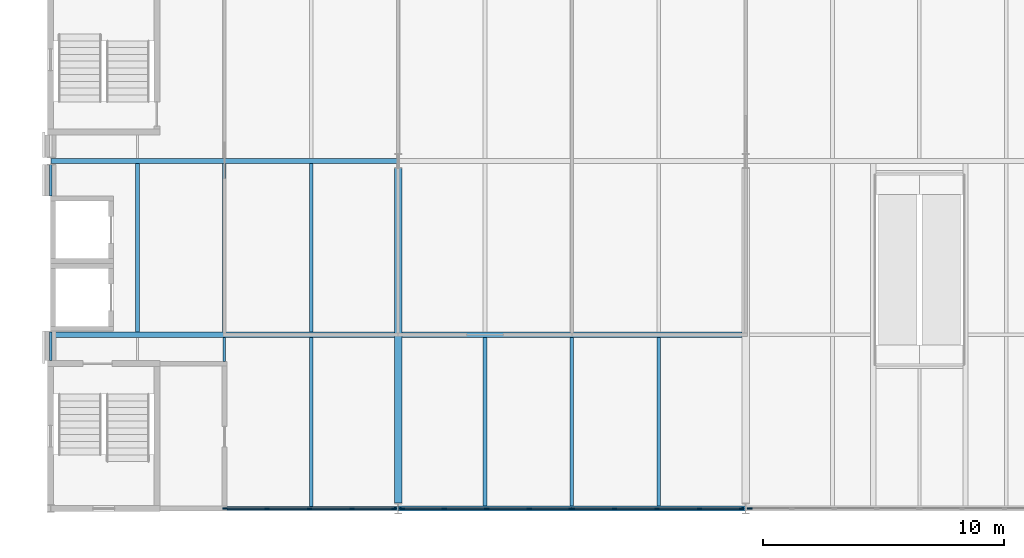
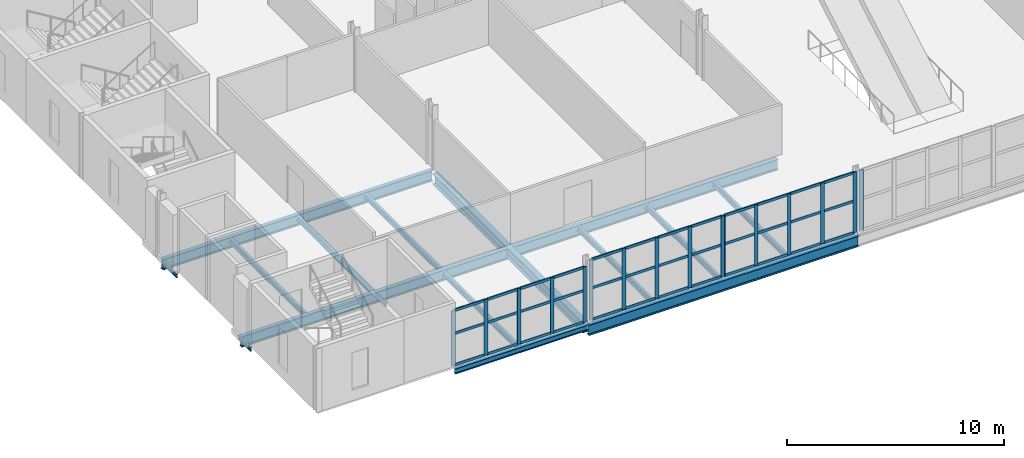
# One storey, part 27 of 124: 52 members, 16 beams, 4 elements without a shape of their own.
"""IFC4 building model written with IfcOpenShell, lengths in metres."""

from ifc_helpers import new_model, si_unit, direction, frame, origin, origin_2d, place, context, subcontext, project, spatial, rectangle, i_section, extrude, material, material_profile, profile_set, type_object, element, aggregate, save


model = new_model("IFC4")

# Units and contexts
model_context = context("Model", 3, precision=1e-05, world=origin(), true_north=direction((0.0, 1.0)))
body_context = subcontext(model_context, "Body", "Model", "MODEL_VIEW")
ifc_project = project(units=[si_unit("LENGTHUNIT", "METRE"), si_unit("AREAUNIT", "SQUARE_METRE"), si_unit("VOLUMEUNIT", "CUBIC_METRE"), si_unit("PLANEANGLEUNIT", "RADIAN"), si_unit("MASSUNIT", "GRAM", prefix="KILO")], contexts=[model_context])

# Site, building, storey
site_placement = place(None, origin())
site = spatial("IfcSite", under=ifc_project, at=site_placement, CompositionType="ELEMENT")
building_placement = place(site_placement, origin())
building = spatial("IfcBuilding", under=site, at=building_placement, Name="Kupolbacken Congress Centre", CompositionType="ELEMENT")
storey_placement = place(building_placement, frame((0.0, 0.0, 10.800048828125)))
storey = spatial("IfcBuildingStorey", under=building, at=storey_placement, Name="L03", CompositionType="ELEMENT", Elevation=10.800048828125)

# Beams
ifc_material_1 = material(Name="Steel S355", Category="steel")
ifc_material_profile_1 = material_profile(ifc_material_1, i_section(OverallWidth=0.10009765625, OverallDepth=0.199951171875, WebThickness=0.005615234375, FlangeThickness=0.008544921875, FilletRadius=0.011962890625, at=origin_2d()), Name="IPE 200")
ifc_profile_set_1 = profile_set([ifc_material_profile_1], Name="Steel S355")
beam_type_1 = type_object("IfcBeamType", Name="B01 beam IPE 200", PredefinedType="BEAM", material=ifc_profile_set_1)
beam_1_placement = place(storey_placement, frame((7.199951171875, 34.925048828125, -0.280029296875), z_axis=(0.0, 1.0, 0.0), x_axis=(-1.0, 0.0, 0.0)))
element("IfcBeam", 1, at=beam_1_placement, inside=storey, type_object=beam_type_1, Name="S/floor/F/L03/G001", PredefinedType="BEAM", context=body_context, shape_type="SweptSolid", body=[
    extrude(i_section(OverallWidth=0.10009765625, OverallDepth=0.199951171875, WebThickness=0.005615234375, FlangeThickness=0.008544921875, FilletRadius=0.011962890625, at=origin_2d()), origin(), (0.0, 0.0, 1.0), 1.184814453125),
])
beam_2_placement = place(storey_placement, frame((7.199951171875, 41.75, -0.280029296875), z_axis=(0.0, 1.0, 0.0), x_axis=(-1.0, 0.0, 0.0)))
element("IfcBeam", 2, at=beam_2_placement, inside=storey, type_object=beam_type_1, Name="S/floor/F/L03/G002", PredefinedType="BEAM", context=body_context, shape_type="SweptSolid", body=[
    extrude(i_section(OverallWidth=0.10009765625, OverallDepth=0.199951171875, WebThickness=0.005615234375, FlangeThickness=0.008544921875, FilletRadius=0.011962890625, at=origin_2d()), origin(), (0.0, 0.0, 1.0), 1.300048828125),
])
beam_3_placement = place(storey_placement, frame((14.39990234375, 34.89990234375, -0.280029296875), z_axis=(0.0, 1.0, 0.0), x_axis=(-1.0, 0.0, 0.0)))
element("IfcBeam", 3, at=beam_3_placement, inside=storey, type_object=beam_type_1, Name="S/floor/F/L03/S043", PredefinedType="BEAM", context=body_context, shape_type="SweptSolid", body=[
    extrude(i_section(OverallWidth=0.10009765625, OverallDepth=0.199951171875, WebThickness=0.005615234375, FlangeThickness=0.008544921875, FilletRadius=0.011962890625, at=origin_2d()), origin(), (0.0, 0.0, 1.0), 0.989990234375),
])
ifc_material_2 = material(Name="Steel S355", Category="steel")
ifc_material_profile_2 = material_profile(ifc_material_2, i_section(OverallWidth=0.14990234375, OverallDepth=0.300048828125, WebThickness=0.007080078125, FlangeThickness=0.0107421875, FilletRadius=0.014892578125, at=origin_2d()), Name="IPE 300")
ifc_profile_set_2 = profile_set([ifc_material_profile_2], Name="Steel S355")
beam_type_2 = type_object("IfcBeamType", Name="B04 beam IPE 300", PredefinedType="BEAM", material=ifc_profile_set_2)
beam_4_placement = place(storey_placement, frame((14.5, 28.800048828125, -0.330078125), z_axis=(1.0, 0.0, 0.0), x_axis=(0.0, 1.0, 0.0)))
element("IfcBeam", 4, at=beam_4_placement, inside=storey, type_object=beam_type_2, Name="S/floor/F/L03/R015", PredefinedType="BEAM", context=body_context, shape_type="SweptSolid", body=[
    extrude(i_section(OverallWidth=0.14990234375, OverallDepth=0.300048828125, WebThickness=0.007080078125, FlangeThickness=0.0107421875, FilletRadius=0.014892578125, at=origin_2d()), origin(), (0.0, 0.0, 1.0), 7.093017578125),
])
for number, where, z_axis, x_axis, name in (
    (5, (10.800048828125, 36.110107421875, -0.330078125), (0.0, 1.0, 0.0), (-1.0, 0.0, 0.0), "S/floor/F/L03/S041"),
    (6, (14.39990234375, 36.110107421875, -0.330078125), (0.0, 1.0, 0.0), (-1.0, 0.0, 0.0), "S/floor/F/L03/S044"),
):
    element("IfcBeam", number, at=place(storey_placement, frame(where, z_axis=z_axis, x_axis=x_axis)), inside=storey, type_object=beam_type_2, Name=name, PredefinedType="BEAM", context=body_context, shape_type="SweptSolid", body=[
        extrude(i_section(OverallWidth=0.14990234375, OverallDepth=0.300048828125, WebThickness=0.007080078125, FlangeThickness=0.0107421875, FilletRadius=0.014892578125, at=origin_2d()), origin(), (0.0, 0.0, 1.0), 6.97998046875),
    ])
beam_5_placement = place(storey_placement, frame((18.0, 28.875, -0.330078125), z_axis=(0.0, 1.0, 0.0), x_axis=(-1.0, 0.0, 0.0)))
element("IfcBeam", 7, at=beam_5_placement, inside=storey, type_object=beam_type_2, Name="S/floor/F/L03/S046", PredefinedType="BEAM", context=body_context, shape_type="SweptSolid", body=[
    extrude(i_section(OverallWidth=0.14990234375, OverallDepth=0.300048828125, WebThickness=0.007080078125, FlangeThickness=0.0107421875, FilletRadius=0.014892578125, at=origin_2d()), origin(), (0.0, 0.0, 1.0), 7.014892578125),
])
for number, where, z_axis, x_axis, name in (
    (8, (18.0, 36.110107421875, -0.330078125), (0.0, 1.0, 0.0), (-1.0, 0.0, 0.0), "S/floor/F/L03/S047"),
    (9, (25.199951171875, 28.909912109375, -0.330078125), (0.0, 1.0, 0.0), (-1.0, 0.0, 0.0), "S/floor/F/L03/S049"),
    (10, (28.800048828125, 28.909912109375, -0.330078125), (0.0, 1.0, 0.0), (-1.0, 0.0, 0.0), "S/floor/F/L03/S052"),
    (11, (32.39990234375, 28.909912109375, -0.330078125), (0.0, 1.0, 0.0), (-1.0, 0.0, 0.0), "S/floor/F/L03/S055"),
):
    element("IfcBeam", number, at=place(storey_placement, frame(where, z_axis=z_axis, x_axis=x_axis)), inside=storey, type_object=beam_type_2, Name=name, PredefinedType="BEAM", context=body_context, shape_type="SweptSolid", body=[
        extrude(i_section(OverallWidth=0.14990234375, OverallDepth=0.300048828125, WebThickness=0.007080078125, FlangeThickness=0.0107421875, FilletRadius=0.014892578125, at=origin_2d()), origin(), (0.0, 0.0, 1.0), 6.97998046875),
    ])
ifc_material_3 = material(Name="Steel S355", Category="steel")
ifc_material_profile_3 = material_profile(ifc_material_3, i_section(OverallWidth=0.219970703125, OverallDepth=0.60009765625, WebThickness=0.011962890625, FlangeThickness=0.01904296875, FilletRadius=0.02392578125, at=origin_2d()), Name="IPE 600")
ifc_profile_set_3 = profile_set([ifc_material_profile_3], Name="Steel S355")
beam_type_3 = type_object("IfcBeamType", Name="B11 beam IPE 600", PredefinedType="BEAM", material=ifc_profile_set_3)
beam_6_placement = place(storey_placement, frame((21.60693359375, 28.800048828125, -0.47998046875), z_axis=(1.0, 0.0, 0.0), x_axis=(0.0, 1.0, 0.0)))
element("IfcBeam", 12, at=beam_6_placement, inside=storey, type_object=beam_type_3, Name="S/floor/F/L03/R016", PredefinedType="BEAM", context=body_context, shape_type="SweptSolid", body=[
    extrude(i_section(OverallWidth=0.219970703125, OverallDepth=0.60009765625, WebThickness=0.011962890625, FlangeThickness=0.01904296875, FilletRadius=0.02392578125, at=origin_2d()), origin(), (0.0, 0.0, 1.0), 14.385986328125),
])
beam_7_placement = place(storey_placement, frame((7.20556640625, 43.199951171875, -0.47998046875), z_axis=(1.0, 0.0, 0.0), x_axis=(0.0, 1.0, 0.0)))
element("IfcBeam", 13, at=beam_7_placement, inside=storey, type_object=beam_type_3, Name="S/floor/F/L03/R020", PredefinedType="BEAM", context=body_context, shape_type="SweptSolid", body=[
    extrude(i_section(OverallWidth=0.219970703125, OverallDepth=0.60009765625, WebThickness=0.011962890625, FlangeThickness=0.01904296875, FilletRadius=0.02392578125, at=origin_2d()), origin(), (0.0, 0.0, 1.0), 14.38671875),
])
beam_8_placement = place(storey_placement, frame((7.25, 36.0, -0.47998046875), z_axis=(1.0, 0.0, 0.0), x_axis=(0.0, 1.0, 0.0)))
element("IfcBeam", 14, at=beam_8_placement, inside=storey, type_object=beam_type_3, Name="S/floor/F/L03/R034", PredefinedType="BEAM", context=body_context, shape_type="SweptSolid", body=[
    extrude(i_section(OverallWidth=0.219970703125, OverallDepth=0.60009765625, WebThickness=0.011962890625, FlangeThickness=0.01904296875, FilletRadius=0.02392578125, at=origin_2d()), origin(), (0.0, 0.0, 1.0), 14.199951171875),
])
beam_9_placement = place(storey_placement, frame((21.75, 36.0, -0.47998046875), z_axis=(1.0, 0.0, 0.0), x_axis=(0.0, 1.0, 0.0)))
element("IfcBeam", 15, at=beam_9_placement, inside=storey, type_object=beam_type_3, Name="S/floor/F/L03/R035", PredefinedType="BEAM", context=body_context, shape_type="SweptSolid", body=[
    extrude(i_section(OverallWidth=0.219970703125, OverallDepth=0.60009765625, WebThickness=0.011962890625, FlangeThickness=0.01904296875, FilletRadius=0.02392578125, at=origin_2d()), origin(), (0.0, 0.0, 1.0), 14.10009765625),
])
ifc_material_4 = material(Name="Steel S355", Category="steel")
ifc_material_profile_4 = material_profile(ifc_material_4, i_section(OverallWidth=0.300048828125, OverallDepth=0.60009765625, WebThickness=0.015380859375, FlangeThickness=0.030029296875, FilletRadius=0.027099609375, at=origin_2d()), Name="HEB 600")
ifc_profile_set_4 = profile_set([ifc_material_profile_4], Name="Steel S355")
beam_type_4 = type_object("IfcBeamType", Name="B15 beam HEB 600", PredefinedType="BEAM", material=ifc_profile_set_4)
beam_10_placement = place(storey_placement, frame((21.60009765625, 29.02490234375, -0.47998046875), z_axis=(0.0, 1.0, 0.0), x_axis=(-1.0, 0.0, 0.0)))
element("IfcBeam", 16, at=beam_10_placement, inside=storey, type_object=beam_type_4, Name="S/floor/F/L03/G004", PredefinedType="BEAM", context=body_context, shape_type="SweptSolid", body=[
    extrude(i_section(OverallWidth=0.300048828125, OverallDepth=0.60009765625, WebThickness=0.015380859375, FlangeThickness=0.030029296875, FilletRadius=0.027099609375, at=origin_2d()), origin(), (0.0, 0.0, 1.0), 13.875),
])

# Curtain wall, members
ifc_material_5 = material(Name="Aluminium mullion-transom frame with glass", Category="aluminium")
curtain_wall_type = type_object("IfcCurtainWallType", Name="CW1 curtain wall 7200x3600", PredefinedType="NOTDEFINED", material=ifc_material_5)
curtain_wall_1_placement = place(storey_placement, origin())
curtain_wall_1 = element("IfcCurtainWall", 17, at=curtain_wall_1_placement, inside=storey, type_object=curtain_wall_type, Name="E/F/S/L03/328", PredefinedType="NOTDEFINED")
ifc_material_6 = material(Name="Aluminium alloy", Category="aluminium")
ifc_material_profile_5 = material_profile(ifc_material_6, rectangle(XDim=0.050048828125, YDim=0.199951171875, at=origin_2d()), Name="50 x 200")
ifc_profile_set_5 = profile_set([ifc_material_profile_5], Name="Aluminium alloy")
member_type_1 = type_object("IfcMemberType", Name="MU2 mullion 50x200", PredefinedType="MULLION", material=ifc_profile_set_5)
member_1_placement = place(storey_placement, frame((14.425048828125, 28.800048828125, 0.0), z_axis=(0.0, 0.0, 1.0), x_axis=(0.0, 1.0, 0.0)))
member_1 = element("IfcMember", 18, at=member_1_placement, type_object=member_type_1, Name="CW1 mullion 1", PredefinedType="MULLION", context=body_context, shape_type="SweptSolid", body=[
    extrude(rectangle(XDim=0.050048828125, YDim=0.199951171875, at=origin_2d()), origin(), (0.0, 0.0, 1.0), 3.119873046875),
])
member_2_placement = place(storey_placement, frame((16.16259765625, 28.800048828125, 0.0), z_axis=(0.0, 0.0, 1.0), x_axis=(0.0, 1.0, 0.0)))
member_2 = element("IfcMember", 19, at=member_2_placement, type_object=member_type_1, Name="CW1 mullion 2", PredefinedType="MULLION", context=body_context, shape_type="SweptSolid", body=[
    extrude(rectangle(XDim=0.050048828125, YDim=0.199951171875, at=origin_2d()), origin(), (0.0, 0.0, 1.0), 3.119873046875),
])
member_3_placement = place(storey_placement, frame((17.925048828125, 28.800048828125, 0.0), z_axis=(0.0, 0.0, 1.0), x_axis=(0.0, 1.0, 0.0)))
member_3 = element("IfcMember", 20, at=member_3_placement, type_object=member_type_1, Name="CW1 mullion 3", PredefinedType="MULLION", context=body_context, shape_type="SweptSolid", body=[
    extrude(rectangle(XDim=0.050048828125, YDim=0.199951171875, at=origin_2d()), origin(), (0.0, 0.0, 1.0), 3.119873046875),
])
member_4_placement = place(storey_placement, frame((19.6875, 28.800048828125, 0.0), z_axis=(0.0, 0.0, 1.0), x_axis=(0.0, 1.0, 0.0)))
member_4 = element("IfcMember", 21, at=member_4_placement, type_object=member_type_1, Name="CW1 mullion 4", PredefinedType="MULLION", context=body_context, shape_type="SweptSolid", body=[
    extrude(rectangle(XDim=0.050048828125, YDim=0.199951171875, at=origin_2d()), origin(), (0.0, 0.0, 1.0), 3.119873046875),
])
member_5_placement = place(storey_placement, frame((21.425048828125, 28.800048828125, 0.0), z_axis=(0.0, 0.0, 1.0), x_axis=(0.0, 1.0, 0.0)))
member_5 = element("IfcMember", 22, at=member_5_placement, type_object=member_type_1, Name="CW1 mullion 5", PredefinedType="MULLION", context=body_context, shape_type="SweptSolid", body=[
    extrude(rectangle(XDim=0.050048828125, YDim=0.199951171875, at=origin_2d()), origin(), (0.0, 0.0, 1.0), 3.119873046875),
])

curtain_wall_2_placement = place(storey_placement, origin())
curtain_wall_2 = element("IfcCurtainWall", 23, at=curtain_wall_2_placement, inside=storey, type_object=curtain_wall_type, Name="E/F/S/L03/329", PredefinedType="NOTDEFINED")
member_6_placement = place(storey_placement, frame((21.77490234375, 28.800048828125, 0.0), z_axis=(0.0, 0.0, 1.0), x_axis=(0.0, 1.0, 0.0)))
member_6 = element("IfcMember", 24, at=member_6_placement, type_object=member_type_1, Name="CW1 mullion 1", PredefinedType="MULLION", context=body_context, shape_type="SweptSolid", body=[
    extrude(rectangle(XDim=0.050048828125, YDim=0.199951171875, at=origin_2d()), origin(), (0.0, 0.0, 1.0), 3.419921875),
])
member_7_placement = place(storey_placement, frame((23.512451171875, 28.800048828125, 0.0), z_axis=(0.0, 0.0, 1.0), x_axis=(0.0, 1.0, 0.0)))
member_7 = element("IfcMember", 25, at=member_7_placement, type_object=member_type_1, Name="CW1 mullion 2", PredefinedType="MULLION", context=body_context, shape_type="SweptSolid", body=[
    extrude(rectangle(XDim=0.050048828125, YDim=0.199951171875, at=origin_2d()), origin(), (0.0, 0.0, 1.0), 3.419921875),
])
member_8_placement = place(storey_placement, frame((25.27490234375, 28.800048828125, 0.0), z_axis=(0.0, 0.0, 1.0), x_axis=(0.0, 1.0, 0.0)))
member_8 = element("IfcMember", 26, at=member_8_placement, type_object=member_type_1, Name="CW1 mullion 3", PredefinedType="MULLION", context=body_context, shape_type="SweptSolid", body=[
    extrude(rectangle(XDim=0.050048828125, YDim=0.199951171875, at=origin_2d()), origin(), (0.0, 0.0, 1.0), 3.419921875),
])
member_9_placement = place(storey_placement, frame((27.03759765625, 28.800048828125, 0.0), z_axis=(0.0, 0.0, 1.0), x_axis=(0.0, 1.0, 0.0)))
member_9 = element("IfcMember", 27, at=member_9_placement, type_object=member_type_1, Name="CW1 mullion 4", PredefinedType="MULLION", context=body_context, shape_type="SweptSolid", body=[
    extrude(rectangle(XDim=0.050048828125, YDim=0.199951171875, at=origin_2d()), origin(), (0.0, 0.0, 1.0), 3.419921875),
])
member_10_placement = place(storey_placement, frame((28.77490234375, 28.800048828125, 0.0), z_axis=(0.0, 0.0, 1.0), x_axis=(0.0, 1.0, 0.0)))
member_10 = element("IfcMember", 28, at=member_10_placement, type_object=member_type_1, Name="CW1 mullion 5", PredefinedType="MULLION", context=body_context, shape_type="SweptSolid", body=[
    extrude(rectangle(XDim=0.050048828125, YDim=0.199951171875, at=origin_2d()), origin(), (0.0, 0.0, 1.0), 3.419921875),
])

curtain_wall_3_placement = place(storey_placement, origin())
curtain_wall_3 = element("IfcCurtainWall", 29, at=curtain_wall_3_placement, inside=storey, type_object=curtain_wall_type, Name="E/F/S/L03/330", PredefinedType="NOTDEFINED")
member_11_placement = place(storey_placement, frame((28.824951171875, 28.800048828125, 0.0), z_axis=(0.0, 0.0, 1.0), x_axis=(0.0, 1.0, 0.0)))
member_11 = element("IfcMember", 30, at=member_11_placement, type_object=member_type_1, Name="CW1 mullion 1", PredefinedType="MULLION", context=body_context, shape_type="SweptSolid", body=[
    extrude(rectangle(XDim=0.050048828125, YDim=0.199951171875, at=origin_2d()), origin(), (0.0, 0.0, 1.0), 3.419921875),
])
member_12_placement = place(storey_placement, frame((30.5625, 28.800048828125, 0.0), z_axis=(0.0, 0.0, 1.0), x_axis=(0.0, 1.0, 0.0)))
member_12 = element("IfcMember", 31, at=member_12_placement, type_object=member_type_1, Name="CW1 mullion 2", PredefinedType="MULLION", context=body_context, shape_type="SweptSolid", body=[
    extrude(rectangle(XDim=0.050048828125, YDim=0.199951171875, at=origin_2d()), origin(), (0.0, 0.0, 1.0), 3.419921875),
])
member_13_placement = place(storey_placement, frame((32.324951171875, 28.800048828125, 0.0), z_axis=(0.0, 0.0, 1.0), x_axis=(0.0, 1.0, 0.0)))
member_13 = element("IfcMember", 32, at=member_13_placement, type_object=member_type_1, Name="CW1 mullion 3", PredefinedType="MULLION", context=body_context, shape_type="SweptSolid", body=[
    extrude(rectangle(XDim=0.050048828125, YDim=0.199951171875, at=origin_2d()), origin(), (0.0, 0.0, 1.0), 3.419921875),
])
member_14_placement = place(storey_placement, frame((34.08740234375, 28.800048828125, 0.0), z_axis=(0.0, 0.0, 1.0), x_axis=(0.0, 1.0, 0.0)))
member_14 = element("IfcMember", 33, at=member_14_placement, type_object=member_type_1, Name="CW1 mullion 4", PredefinedType="MULLION", context=body_context, shape_type="SweptSolid", body=[
    extrude(rectangle(XDim=0.050048828125, YDim=0.199951171875, at=origin_2d()), origin(), (0.0, 0.0, 1.0), 3.419921875),
])
member_15_placement = place(storey_placement, frame((35.824951171875, 28.800048828125, 0.0), z_axis=(0.0, 0.0, 1.0), x_axis=(0.0, 1.0, 0.0)))
member_15 = element("IfcMember", 34, at=member_15_placement, type_object=member_type_1, Name="CW1 mullion 5", PredefinedType="MULLION", context=body_context, shape_type="SweptSolid", body=[
    extrude(rectangle(XDim=0.050048828125, YDim=0.199951171875, at=origin_2d()), origin(), (0.0, 0.0, 1.0), 3.419921875),
])

# Curtain wall, member
curtain_wall_4_placement = place(storey_placement, origin())
curtain_wall_4 = element("IfcCurtainWall", 35, at=curtain_wall_4_placement, inside=storey, type_object=curtain_wall_type, Name="E/F/S/L03/331", PredefinedType="NOTDEFINED")
member_16_placement = place(storey_placement, frame((36.175048828125, 28.800048828125, 0.0), z_axis=(0.0, 0.0, 1.0), x_axis=(0.0, 1.0, 0.0)))
member_16 = element("IfcMember", 36, at=member_16_placement, type_object=member_type_1, Name="CW1 mullion 1", PredefinedType="MULLION", context=body_context, shape_type="SweptSolid", body=[
    extrude(rectangle(XDim=0.050048828125, YDim=0.199951171875, at=origin_2d()), origin(), (0.0, 0.0, 1.0), 3.419921875),
])
aggregate(curtain_wall_4, [member_16])

# Member
ifc_material_7 = material(Name="Aluminium alloy", Category="aluminium")
ifc_material_profile_6 = material_profile(ifc_material_7, rectangle(XDim=0.050048828125, YDim=0.14990234375, at=origin_2d()), Name="50 x 150")
ifc_profile_set_6 = profile_set([ifc_material_profile_6], Name="Aluminium alloy")
member_type_2 = type_object("IfcMemberType", Name="TR2 transom 50x150", PredefinedType="MULLION", material=ifc_profile_set_6)
member_17_placement = place(storey_placement, frame((14.449951171875, 28.800048828125, 0.02490234375), z_axis=(1.0, 0.0, 0.0), x_axis=(0.0, 1.0, 0.0)))
member_17 = element("IfcMember", 37, at=member_17_placement, type_object=member_type_2, Name="CW1 transom 1.1", PredefinedType="MULLION", context=body_context, shape_type="SweptSolid", body=[
    extrude(rectangle(XDim=0.050048828125, YDim=0.14990234375, at=origin_2d()), origin(), (0.0, 0.0, 1.0), 1.6875),
])

member_18_placement = place(storey_placement, frame((14.449951171875, 28.800048828125, 1.800048828125), z_axis=(1.0, 0.0, 0.0), x_axis=(0.0, 1.0, 0.0)))
member_18 = element("IfcMember", 38, at=member_18_placement, type_object=member_type_2, Name="CW1 transom 1.2", PredefinedType="MULLION", context=body_context, shape_type="SweptSolid", body=[
    extrude(rectangle(XDim=0.050048828125, YDim=0.14990234375, at=origin_2d()), origin(), (0.0, 0.0, 1.0), 1.6875),
])

member_19_placement = place(storey_placement, frame((14.449951171875, 28.800048828125, 3.094970703125), z_axis=(1.0, 0.0, 0.0), x_axis=(0.0, 1.0, 0.0)))
member_19 = element("IfcMember", 39, at=member_19_placement, type_object=member_type_2, Name="CW1 transom 1.3", PredefinedType="MULLION", context=body_context, shape_type="SweptSolid", body=[
    extrude(rectangle(XDim=0.050048828125, YDim=0.14990234375, at=origin_2d()), origin(), (0.0, 0.0, 1.0), 1.6875),
])

member_20_placement = place(storey_placement, frame((16.1875, 28.800048828125, 0.02490234375), z_axis=(1.0, 0.0, 0.0), x_axis=(0.0, 1.0, 0.0)))
member_20 = element("IfcMember", 40, at=member_20_placement, type_object=member_type_2, Name="CW1 transom 2.1", PredefinedType="MULLION", context=body_context, shape_type="SweptSolid", body=[
    extrude(rectangle(XDim=0.050048828125, YDim=0.14990234375, at=origin_2d()), origin(), (0.0, 0.0, 1.0), 1.71240234375),
])

member_21_placement = place(storey_placement, frame((16.1875, 28.800048828125, 1.800048828125), z_axis=(1.0, 0.0, 0.0), x_axis=(0.0, 1.0, 0.0)))
member_21 = element("IfcMember", 41, at=member_21_placement, type_object=member_type_2, Name="CW1 transom 2.2", PredefinedType="MULLION", context=body_context, shape_type="SweptSolid", body=[
    extrude(rectangle(XDim=0.050048828125, YDim=0.14990234375, at=origin_2d()), origin(), (0.0, 0.0, 1.0), 1.71240234375),
])

member_22_placement = place(storey_placement, frame((16.1875, 28.800048828125, 3.094970703125), z_axis=(1.0, 0.0, 0.0), x_axis=(0.0, 1.0, 0.0)))
member_22 = element("IfcMember", 42, at=member_22_placement, type_object=member_type_2, Name="CW1 transom 2.3", PredefinedType="MULLION", context=body_context, shape_type="SweptSolid", body=[
    extrude(rectangle(XDim=0.050048828125, YDim=0.14990234375, at=origin_2d()), origin(), (0.0, 0.0, 1.0), 1.71240234375),
])

member_23_placement = place(storey_placement, frame((17.949951171875, 28.800048828125, 0.02490234375), z_axis=(1.0, 0.0, 0.0), x_axis=(0.0, 1.0, 0.0)))
member_23 = element("IfcMember", 43, at=member_23_placement, type_object=member_type_2, Name="CW1 transom 3.1", PredefinedType="MULLION", context=body_context, shape_type="SweptSolid", body=[
    extrude(rectangle(XDim=0.050048828125, YDim=0.14990234375, at=origin_2d()), origin(), (0.0, 0.0, 1.0), 1.712646484375),
])

member_24_placement = place(storey_placement, frame((17.949951171875, 28.800048828125, 1.800048828125), z_axis=(1.0, 0.0, 0.0), x_axis=(0.0, 1.0, 0.0)))
member_24 = element("IfcMember", 44, at=member_24_placement, type_object=member_type_2, Name="CW1 transom 3.2", PredefinedType="MULLION", context=body_context, shape_type="SweptSolid", body=[
    extrude(rectangle(XDim=0.050048828125, YDim=0.14990234375, at=origin_2d()), origin(), (0.0, 0.0, 1.0), 1.712646484375),
])

member_25_placement = place(storey_placement, frame((17.949951171875, 28.800048828125, 3.094970703125), z_axis=(1.0, 0.0, 0.0), x_axis=(0.0, 1.0, 0.0)))
member_25 = element("IfcMember", 45, at=member_25_placement, type_object=member_type_2, Name="CW1 transom 3.3", PredefinedType="MULLION", context=body_context, shape_type="SweptSolid", body=[
    extrude(rectangle(XDim=0.050048828125, YDim=0.14990234375, at=origin_2d()), origin(), (0.0, 0.0, 1.0), 1.712646484375),
])

member_26_placement = place(storey_placement, frame((19.71240234375, 28.800048828125, 0.02490234375), z_axis=(1.0, 0.0, 0.0), x_axis=(0.0, 1.0, 0.0)))
member_26 = element("IfcMember", 46, at=member_26_placement, type_object=member_type_2, Name="CW1 transom 4.1", PredefinedType="MULLION", context=body_context, shape_type="SweptSolid", body=[
    extrude(rectangle(XDim=0.050048828125, YDim=0.14990234375, at=origin_2d()), origin(), (0.0, 0.0, 1.0), 1.6875),
])

member_27_placement = place(storey_placement, frame((19.71240234375, 28.800048828125, 1.800048828125), z_axis=(1.0, 0.0, 0.0), x_axis=(0.0, 1.0, 0.0)))
member_27 = element("IfcMember", 47, at=member_27_placement, type_object=member_type_2, Name="CW1 transom 4.2", PredefinedType="MULLION", context=body_context, shape_type="SweptSolid", body=[
    extrude(rectangle(XDim=0.050048828125, YDim=0.14990234375, at=origin_2d()), origin(), (0.0, 0.0, 1.0), 1.6875),
])

member_28_placement = place(storey_placement, frame((19.71240234375, 28.800048828125, 3.094970703125), z_axis=(1.0, 0.0, 0.0), x_axis=(0.0, 1.0, 0.0)))
member_28 = element("IfcMember", 48, at=member_28_placement, type_object=member_type_2, Name="CW1 transom 4.3", PredefinedType="MULLION", context=body_context, shape_type="SweptSolid", body=[
    extrude(rectangle(XDim=0.050048828125, YDim=0.14990234375, at=origin_2d()), origin(), (0.0, 0.0, 1.0), 1.6875),
])

aggregate(curtain_wall_1, [member_1, member_2, member_3, member_4, member_5, member_17, member_18, member_19, member_20, member_21, member_22, member_23, member_24, member_25, member_26, member_27, member_28])

member_29_placement = place(storey_placement, frame((21.800048828125, 28.800048828125, 0.02490234375), z_axis=(1.0, 0.0, 0.0), x_axis=(0.0, 1.0, 0.0)))
member_29 = element("IfcMember", 49, at=member_29_placement, type_object=member_type_2, Name="CW1 transom 1.1", PredefinedType="MULLION", context=body_context, shape_type="SweptSolid", body=[
    extrude(rectangle(XDim=0.050048828125, YDim=0.14990234375, at=origin_2d()), origin(), (0.0, 0.0, 1.0), 1.6875),
])

member_30_placement = place(storey_placement, frame((21.800048828125, 28.800048828125, 1.800048828125), z_axis=(1.0, 0.0, 0.0), x_axis=(0.0, 1.0, 0.0)))
member_30 = element("IfcMember", 50, at=member_30_placement, type_object=member_type_2, Name="CW1 transom 1.2", PredefinedType="MULLION", context=body_context, shape_type="SweptSolid", body=[
    extrude(rectangle(XDim=0.050048828125, YDim=0.14990234375, at=origin_2d()), origin(), (0.0, 0.0, 1.0), 1.6875),
])

member_31_placement = place(storey_placement, frame((21.800048828125, 28.800048828125, 3.39501953125), z_axis=(1.0, 0.0, 0.0), x_axis=(0.0, 1.0, 0.0)))
member_31 = element("IfcMember", 51, at=member_31_placement, type_object=member_type_2, Name="CW1 transom 1.3", PredefinedType="MULLION", context=body_context, shape_type="SweptSolid", body=[
    extrude(rectangle(XDim=0.050048828125, YDim=0.14990234375, at=origin_2d()), origin(), (0.0, 0.0, 1.0), 1.6875),
])

member_32_placement = place(storey_placement, frame((23.53759765625, 28.800048828125, 0.02490234375), z_axis=(1.0, 0.0, 0.0), x_axis=(0.0, 1.0, 0.0)))
member_32 = element("IfcMember", 52, at=member_32_placement, type_object=member_type_2, Name="CW1 transom 2.1", PredefinedType="MULLION", context=body_context, shape_type="SweptSolid", body=[
    extrude(rectangle(XDim=0.050048828125, YDim=0.14990234375, at=origin_2d()), origin(), (0.0, 0.0, 1.0), 1.71240234375),
])

member_33_placement = place(storey_placement, frame((23.53759765625, 28.800048828125, 1.800048828125), z_axis=(1.0, 0.0, 0.0), x_axis=(0.0, 1.0, 0.0)))
member_33 = element("IfcMember", 53, at=member_33_placement, type_object=member_type_2, Name="CW1 transom 2.2", PredefinedType="MULLION", context=body_context, shape_type="SweptSolid", body=[
    extrude(rectangle(XDim=0.050048828125, YDim=0.14990234375, at=origin_2d()), origin(), (0.0, 0.0, 1.0), 1.71240234375),
])

member_34_placement = place(storey_placement, frame((23.53759765625, 28.800048828125, 3.39501953125), z_axis=(1.0, 0.0, 0.0), x_axis=(0.0, 1.0, 0.0)))
member_34 = element("IfcMember", 54, at=member_34_placement, type_object=member_type_2, Name="CW1 transom 2.3", PredefinedType="MULLION", context=body_context, shape_type="SweptSolid", body=[
    extrude(rectangle(XDim=0.050048828125, YDim=0.14990234375, at=origin_2d()), origin(), (0.0, 0.0, 1.0), 1.71240234375),
])

member_35_placement = place(storey_placement, frame((25.300048828125, 28.800048828125, 0.02490234375), z_axis=(1.0, 0.0, 0.0), x_axis=(0.0, 1.0, 0.0)))
member_35 = element("IfcMember", 55, at=member_35_placement, type_object=member_type_2, Name="CW1 transom 3.1", PredefinedType="MULLION", context=body_context, shape_type="SweptSolid", body=[
    extrude(rectangle(XDim=0.050048828125, YDim=0.14990234375, at=origin_2d()), origin(), (0.0, 0.0, 1.0), 1.71240234375),
])

member_36_placement = place(storey_placement, frame((25.300048828125, 28.800048828125, 1.800048828125), z_axis=(1.0, 0.0, 0.0), x_axis=(0.0, 1.0, 0.0)))
member_36 = element("IfcMember", 56, at=member_36_placement, type_object=member_type_2, Name="CW1 transom 3.2", PredefinedType="MULLION", context=body_context, shape_type="SweptSolid", body=[
    extrude(rectangle(XDim=0.050048828125, YDim=0.14990234375, at=origin_2d()), origin(), (0.0, 0.0, 1.0), 1.71240234375),
])

member_37_placement = place(storey_placement, frame((25.300048828125, 28.800048828125, 3.39501953125), z_axis=(1.0, 0.0, 0.0), x_axis=(0.0, 1.0, 0.0)))
member_37 = element("IfcMember", 57, at=member_37_placement, type_object=member_type_2, Name="CW1 transom 3.3", PredefinedType="MULLION", context=body_context, shape_type="SweptSolid", body=[
    extrude(rectangle(XDim=0.050048828125, YDim=0.14990234375, at=origin_2d()), origin(), (0.0, 0.0, 1.0), 1.71240234375),
])

member_38_placement = place(storey_placement, frame((27.0625, 28.800048828125, 0.02490234375), z_axis=(1.0, 0.0, 0.0), x_axis=(0.0, 1.0, 0.0)))
member_38 = element("IfcMember", 58, at=member_38_placement, type_object=member_type_2, Name="CW1 transom 4.1", PredefinedType="MULLION", context=body_context, shape_type="SweptSolid", body=[
    extrude(rectangle(XDim=0.050048828125, YDim=0.14990234375, at=origin_2d()), origin(), (0.0, 0.0, 1.0), 1.6875),
])

member_39_placement = place(storey_placement, frame((27.0625, 28.800048828125, 1.800048828125), z_axis=(1.0, 0.0, 0.0), x_axis=(0.0, 1.0, 0.0)))
member_39 = element("IfcMember", 59, at=member_39_placement, type_object=member_type_2, Name="CW1 transom 4.2", PredefinedType="MULLION", context=body_context, shape_type="SweptSolid", body=[
    extrude(rectangle(XDim=0.050048828125, YDim=0.14990234375, at=origin_2d()), origin(), (0.0, 0.0, 1.0), 1.6875),
])

member_40_placement = place(storey_placement, frame((27.0625, 28.800048828125, 3.39501953125), z_axis=(1.0, 0.0, 0.0), x_axis=(0.0, 1.0, 0.0)))
member_40 = element("IfcMember", 60, at=member_40_placement, type_object=member_type_2, Name="CW1 transom 4.3", PredefinedType="MULLION", context=body_context, shape_type="SweptSolid", body=[
    extrude(rectangle(XDim=0.050048828125, YDim=0.14990234375, at=origin_2d()), origin(), (0.0, 0.0, 1.0), 1.6875),
])

aggregate(curtain_wall_2, [member_6, member_7, member_8, member_9, member_10, member_29, member_30, member_31, member_32, member_33, member_34, member_35, member_36, member_37, member_38, member_39, member_40])

member_41_placement = place(storey_placement, frame((28.85009765625, 28.800048828125, 0.02490234375), z_axis=(1.0, 0.0, 0.0), x_axis=(0.0, 1.0, 0.0)))
member_41 = element("IfcMember", 61, at=member_41_placement, type_object=member_type_2, Name="CW1 transom 1.1", PredefinedType="MULLION", context=body_context, shape_type="SweptSolid", body=[
    extrude(rectangle(XDim=0.050048828125, YDim=0.14990234375, at=origin_2d()), origin(), (0.0, 0.0, 1.0), 1.6875),
])

member_42_placement = place(storey_placement, frame((28.85009765625, 28.800048828125, 1.800048828125), z_axis=(1.0, 0.0, 0.0), x_axis=(0.0, 1.0, 0.0)))
member_42 = element("IfcMember", 62, at=member_42_placement, type_object=member_type_2, Name="CW1 transom 1.2", PredefinedType="MULLION", context=body_context, shape_type="SweptSolid", body=[
    extrude(rectangle(XDim=0.050048828125, YDim=0.14990234375, at=origin_2d()), origin(), (0.0, 0.0, 1.0), 1.6875),
])

member_43_placement = place(storey_placement, frame((28.85009765625, 28.800048828125, 3.39501953125), z_axis=(1.0, 0.0, 0.0), x_axis=(0.0, 1.0, 0.0)))
member_43 = element("IfcMember", 63, at=member_43_placement, type_object=member_type_2, Name="CW1 transom 1.3", PredefinedType="MULLION", context=body_context, shape_type="SweptSolid", body=[
    extrude(rectangle(XDim=0.050048828125, YDim=0.14990234375, at=origin_2d()), origin(), (0.0, 0.0, 1.0), 1.6875),
])

member_44_placement = place(storey_placement, frame((30.58740234375, 28.800048828125, 0.02490234375), z_axis=(1.0, 0.0, 0.0), x_axis=(0.0, 1.0, 0.0)))
member_44 = element("IfcMember", 64, at=member_44_placement, type_object=member_type_2, Name="CW1 transom 2.1", PredefinedType="MULLION", context=body_context, shape_type="SweptSolid", body=[
    extrude(rectangle(XDim=0.050048828125, YDim=0.14990234375, at=origin_2d()), origin(), (0.0, 0.0, 1.0), 1.712646484375),
])

member_45_placement = place(storey_placement, frame((30.58740234375, 28.800048828125, 1.800048828125), z_axis=(1.0, 0.0, 0.0), x_axis=(0.0, 1.0, 0.0)))
member_45 = element("IfcMember", 65, at=member_45_placement, type_object=member_type_2, Name="CW1 transom 2.2", PredefinedType="MULLION", context=body_context, shape_type="SweptSolid", body=[
    extrude(rectangle(XDim=0.050048828125, YDim=0.14990234375, at=origin_2d()), origin(), (0.0, 0.0, 1.0), 1.712646484375),
])

member_46_placement = place(storey_placement, frame((30.58740234375, 28.800048828125, 3.39501953125), z_axis=(1.0, 0.0, 0.0), x_axis=(0.0, 1.0, 0.0)))
member_46 = element("IfcMember", 66, at=member_46_placement, type_object=member_type_2, Name="CW1 transom 2.3", PredefinedType="MULLION", context=body_context, shape_type="SweptSolid", body=[
    extrude(rectangle(XDim=0.050048828125, YDim=0.14990234375, at=origin_2d()), origin(), (0.0, 0.0, 1.0), 1.712646484375),
])

member_47_placement = place(storey_placement, frame((32.35009765625, 28.800048828125, 0.02490234375), z_axis=(1.0, 0.0, 0.0), x_axis=(0.0, 1.0, 0.0)))
member_47 = element("IfcMember", 67, at=member_47_placement, type_object=member_type_2, Name="CW1 transom 3.1", PredefinedType="MULLION", context=body_context, shape_type="SweptSolid", body=[
    extrude(rectangle(XDim=0.050048828125, YDim=0.14990234375, at=origin_2d()), origin(), (0.0, 0.0, 1.0), 1.71240234375),
])

member_48_placement = place(storey_placement, frame((32.35009765625, 28.800048828125, 1.800048828125), z_axis=(1.0, 0.0, 0.0), x_axis=(0.0, 1.0, 0.0)))
member_48 = element("IfcMember", 68, at=member_48_placement, type_object=member_type_2, Name="CW1 transom 3.2", PredefinedType="MULLION", context=body_context, shape_type="SweptSolid", body=[
    extrude(rectangle(XDim=0.050048828125, YDim=0.14990234375, at=origin_2d()), origin(), (0.0, 0.0, 1.0), 1.71240234375),
])

member_49_placement = place(storey_placement, frame((32.35009765625, 28.800048828125, 3.39501953125), z_axis=(1.0, 0.0, 0.0), x_axis=(0.0, 1.0, 0.0)))
member_49 = element("IfcMember", 69, at=member_49_placement, type_object=member_type_2, Name="CW1 transom 3.3", PredefinedType="MULLION", context=body_context, shape_type="SweptSolid", body=[
    extrude(rectangle(XDim=0.050048828125, YDim=0.14990234375, at=origin_2d()), origin(), (0.0, 0.0, 1.0), 1.71240234375),
])

member_50_placement = place(storey_placement, frame((34.112548828125, 28.800048828125, 0.02490234375), z_axis=(1.0, 0.0, 0.0), x_axis=(0.0, 1.0, 0.0)))
member_50 = element("IfcMember", 70, at=member_50_placement, type_object=member_type_2, Name="CW1 transom 4.1", PredefinedType="MULLION", context=body_context, shape_type="SweptSolid", body=[
    extrude(rectangle(XDim=0.050048828125, YDim=0.14990234375, at=origin_2d()), origin(), (0.0, 0.0, 1.0), 1.6875),
])

member_51_placement = place(storey_placement, frame((34.112548828125, 28.800048828125, 1.800048828125), z_axis=(1.0, 0.0, 0.0), x_axis=(0.0, 1.0, 0.0)))
member_51 = element("IfcMember", 71, at=member_51_placement, type_object=member_type_2, Name="CW1 transom 4.2", PredefinedType="MULLION", context=body_context, shape_type="SweptSolid", body=[
    extrude(rectangle(XDim=0.050048828125, YDim=0.14990234375, at=origin_2d()), origin(), (0.0, 0.0, 1.0), 1.6875),
])

member_52_placement = place(storey_placement, frame((34.112548828125, 28.800048828125, 3.39501953125), z_axis=(1.0, 0.0, 0.0), x_axis=(0.0, 1.0, 0.0)))
member_52 = element("IfcMember", 72, at=member_52_placement, type_object=member_type_2, Name="CW1 transom 4.3", PredefinedType="MULLION", context=body_context, shape_type="SweptSolid", body=[
    extrude(rectangle(XDim=0.050048828125, YDim=0.14990234375, at=origin_2d()), origin(), (0.0, 0.0, 1.0), 1.6875),
])

aggregate(curtain_wall_3, [member_11, member_12, member_13, member_14, member_15, member_41, member_42, member_43, member_44, member_45, member_46, member_47, member_48, member_49, member_50, member_51, member_52])

save(model, "model.ifc")
